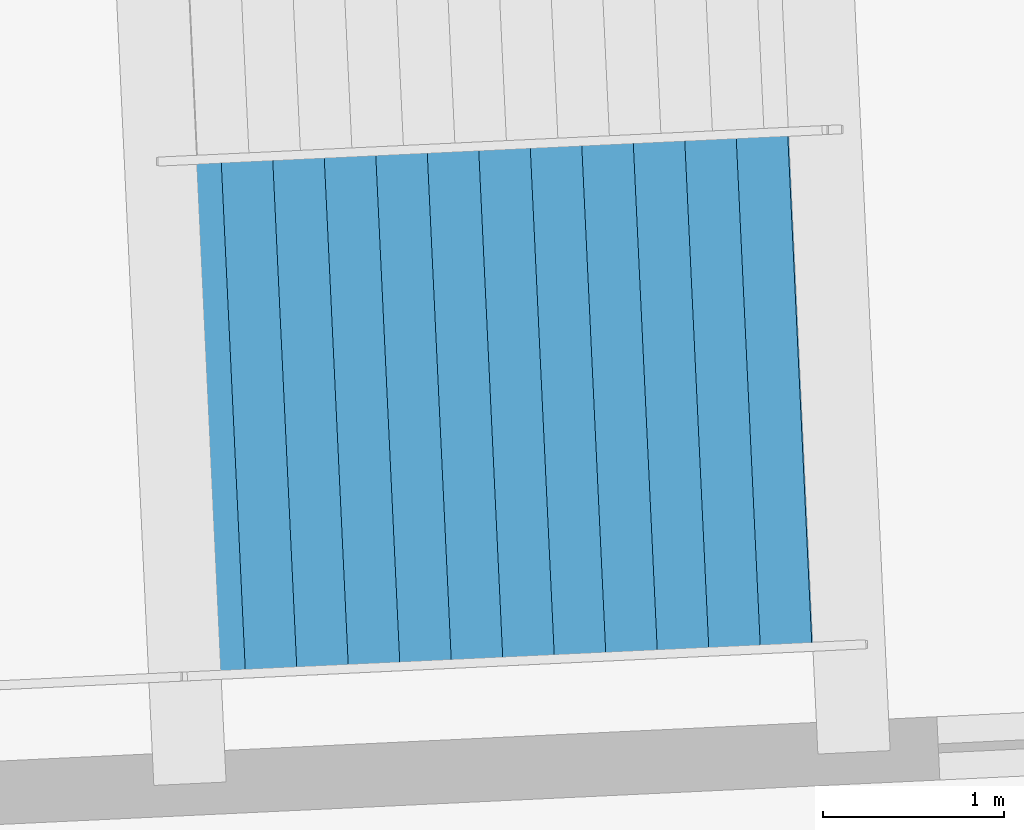
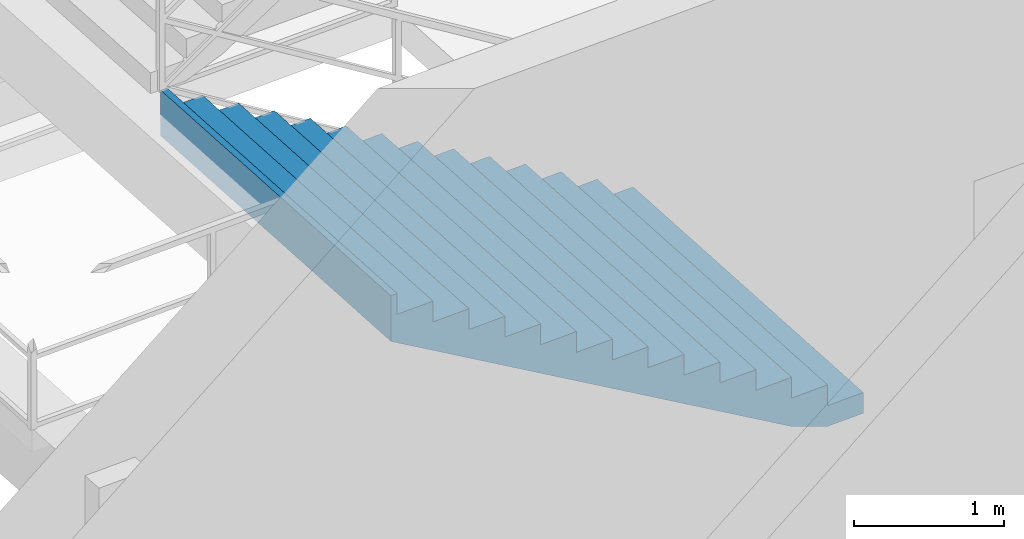
# One storey, part 158 of 171: 1 stair flight, 1 element without a shape of its own.
"""IFC4 building model written with IfcOpenShell, lengths in metres."""

from ifc_helpers import new_model, si_unit, direction, frame, origin, place, context, subcontext, project, spatial, polygons, material, type_object, element, aggregate, save


model = new_model("IFC4")

# Units and contexts
model_context = context("Model", 3, precision=1e-05, world=origin(), true_north=direction((0.0, 1.0)))
body_context = subcontext(model_context, "Body", "Model", "MODEL_VIEW")
ifc_project = project(units=[si_unit("LENGTHUNIT", "METRE"), si_unit("AREAUNIT", "SQUARE_METRE"), si_unit("VOLUMEUNIT", "CUBIC_METRE"), si_unit("PLANEANGLEUNIT", "RADIAN"), si_unit("MASSUNIT", "GRAM", prefix="KILO")], contexts=[model_context])

# Site, building, storey
site_placement = place(None, origin())
site = spatial("IfcSite", under=ifc_project, at=site_placement, CompositionType="ELEMENT")
building_placement = place(site_placement, origin())
building = spatial("IfcBuilding", under=site, at=building_placement, Name="Kazemori Nagisa Stadium", CompositionType="ELEMENT")
storey_placement = place(building_placement, frame((0.0, 0.0, 15.639892578125)))
storey = spatial("IfcBuildingStorey", under=building, at=storey_placement, Name="L03", CompositionType="ELEMENT", Elevation=15.639892578125)

# Stair, stair flight
ifc_material = material(Name="Concrete C36/45 (Fc36)", Category="concrete")
stair_type = type_object("IfcStairType", Name="Stair_CORE_28", PredefinedType="TWO_STRAIGHT_RUN_STAIR", material=ifc_material)
stair_placement = place(storey_placement, origin())
stair = element("IfcStair", 1, at=stair_placement, inside=storey, type_object=stair_type, Name="Exit stair ST05 L03", PredefinedType="TWO_STRAIGHT_RUN_STAIR")
stair_flight_type = type_object("IfcStairFlightType", Name="Flight_CORE_14", PredefinedType="STRAIGHT", material=ifc_material)
stair_flight_placement = place(storey_placement, frame((119.465087890625, 180.565673828125, 0.0), z_axis=(0.0, 0.0, 1.0), x_axis=(-0.998883292929, -0.047245815755, 0.0)))
stair_flight = element("IfcStairFlight", 2, at=stair_flight_placement, type_object=stair_flight_type, Name="Exit stair ST05 L03 flight 1", NumberOfRisers=14, NumberOfTreads=13, PredefinedType="STRAIGHT", RiserHeight=0.17, TreadLength=0.285, context=body_context, shape_type="Tessellation", body=[
    polygons([(0.0, -1.425048828125, 0.0), (0.0, -1.425048828125, 0.169921875), (0.284912109375, -1.425048828125, 0.169921875), (0.284912109375, -1.425048828125, 0.340087890625), (0.570068359375, -1.425048828125, 0.340087890625), (0.570068359375, -1.425048828125, 0.510009765625), (0.85498046875, -1.425048828125, 0.510009765625), (0.85498046875, -1.425048828125, 0.679931640625), (1.139892578125, -1.425048828125, 0.679931640625), (1.139892578125, -1.425048828125, 0.85009765625), (1.425048828125, -1.425048828125, 0.85009765625), (1.425048828125, -1.425048828125, 1.02001953125), (1.7099609375, -1.425048828125, 1.02001953125), (1.7099609375, -1.425048828125, 1.18994140625), (1.9951171875, -1.425048828125, 1.18994140625), (1.9951171875, -1.425048828125, 1.360107421875), (2.280029296875, -1.425048828125, 1.360107421875), (2.280029296875, -1.425048828125, 1.530029296875), (2.56494140625, -1.425048828125, 1.530029296875), (2.56494140625, -1.425048828125, 1.699951171875), (2.85009765625, -1.425048828125, 1.699951171875), (2.85009765625, -1.425048828125, 1.8701171875), (3.135009765625, -1.425048828125, 1.8701171875), (3.135009765625, -1.425048828125, 2.0400390625), (3.419921875, -1.425048828125, 2.0400390625), (3.419921875, -1.425048828125, 2.2099609375), (3.705078125, -1.425048828125, 2.2099609375), (3.705078125, -1.425048828125, 2.3798828125), (3.7548828125, -1.425048828125, 2.3798828125), (3.7548828125, -1.425048828125, 2.007080078125), (3.705078125, -1.425048828125, 1.977294921875), (3.419921875, -1.425048828125, 1.80712890625), (3.135009765625, -1.425048828125, 1.63720703125), (2.85009765625, -1.425048828125, 1.46728515625), (2.56494140625, -1.425048828125, 1.297119140625), (2.280029296875, -1.425048828125, 1.127197265625), (1.9951171875, -1.425048828125, 0.957275390625), (1.7099609375, -1.425048828125, 0.787109375), (1.425048828125, -1.425048828125, 0.6171875), (1.139892578125, -1.425048828125, 0.447265625), (0.85498046875, -1.425048828125, 0.277099609375), (0.570068359375, -1.425048828125, 0.107177734375), (0.284912109375, -1.425048828125, 0.0), (0.0, -0.08544921875, 0.0), (0.0, -0.08544921875, 0.169921875), (0.284912109375, -0.08544921875, 0.169921875), (0.284912109375, -0.08544921875, 0.340087890625), (0.570068359375, -0.08544921875, 0.340087890625), (0.570068359375, -0.08544921875, 0.510009765625), (0.85498046875, -0.08544921875, 0.510009765625), (0.85498046875, -0.08544921875, 0.679931640625), (1.139892578125, -0.08544921875, 0.679931640625), (1.139892578125, -0.08544921875, 0.85009765625), (1.425048828125, -0.08544921875, 0.85009765625), (1.425048828125, -0.08544921875, 1.02001953125), (1.7099609375, -0.08544921875, 1.02001953125), (1.7099609375, -0.08544921875, 1.18994140625), (1.9951171875, -0.08544921875, 1.18994140625), (1.9951171875, -0.08544921875, 1.360107421875), (2.280029296875, -0.08544921875, 1.360107421875), (2.280029296875, -0.08544921875, 1.530029296875), (2.56494140625, -0.08544921875, 1.530029296875), (2.56494140625, -0.08544921875, 1.699951171875), (2.85009765625, -0.08544921875, 1.699951171875), (2.85009765625, -0.08544921875, 1.8701171875), (3.135009765625, -0.08544921875, 1.8701171875), (3.135009765625, -0.08544921875, 2.0400390625), (3.419921875, -0.08544921875, 2.0400390625), (3.419921875, -0.08544921875, 2.2099609375), (3.705078125, -0.08544921875, 2.2099609375), (3.705078125, -0.08544921875, 2.3798828125), (3.7548828125, -0.08544921875, 2.3798828125), (3.7548828125, -0.08544921875, 2.007080078125), (3.705078125, -0.08544921875, 1.977294921875), (3.419921875, -0.08544921875, 1.80712890625), (3.135009765625, -0.08544921875, 1.63720703125), (2.85009765625, -0.08544921875, 1.46728515625), (2.56494140625, -0.08544921875, 1.297119140625), (2.280029296875, -0.08544921875, 1.127197265625), (1.9951171875, -0.08544921875, 0.957275390625), (1.7099609375, -0.08544921875, 0.787109375), (1.425048828125, -0.08544921875, 0.6171875), (1.139892578125, -0.08544921875, 0.447265625), (0.85498046875, -0.08544921875, 0.277099609375), (0.570068359375, -0.08544921875, 0.107177734375), (0.284912109375, -0.08544921875, 0.0), (0.0, 0.0, 0.0), (0.0, 0.0, 0.169921875), (0.284912109375, 0.0, 0.169921875), (0.284912109375, 0.0, 0.340087890625), (0.570068359375, 0.0, 0.340087890625), (0.570068359375, 0.0, 0.510009765625), (0.85498046875, 0.0, 0.510009765625), (0.85498046875, 0.0, 0.679931640625), (1.139892578125, 0.0, 0.679931640625), (1.139892578125, 0.0, 0.85009765625), (1.425048828125, 0.0, 0.85009765625), (1.425048828125, 0.0, 1.02001953125), (1.7099609375, 0.0, 1.02001953125), (1.7099609375, 0.0, 1.18994140625), (1.9951171875, 0.0, 1.18994140625), (1.9951171875, 0.0, 1.360107421875), (2.280029296875, 0.0, 1.360107421875), (2.280029296875, 0.0, 1.530029296875), (2.56494140625, 0.0, 1.530029296875), (2.56494140625, 0.0, 1.699951171875), (2.85009765625, 0.0, 1.699951171875), (2.85009765625, 0.0, 1.8701171875), (3.135009765625, 0.0, 1.8701171875), (3.135009765625, 0.0, 2.0400390625), (3.419921875, 0.0, 2.0400390625), (3.419921875, 0.0, 2.2099609375), (3.705078125, 0.0, 2.2099609375), (3.705078125, 0.0, 2.3798828125), (3.7548828125, 0.0, 2.3798828125), (3.7548828125, 0.0, 2.007080078125), (3.705078125, 0.0, 1.977294921875), (3.419921875, 0.0, 1.80712890625), (3.135009765625, 0.0, 1.63720703125), (2.85009765625, 0.0, 1.46728515625), (2.56494140625, 0.0, 1.297119140625), (2.280029296875, 0.0, 1.127197265625), (1.9951171875, 0.0, 0.957275390625), (1.7099609375, 0.0, 0.787109375), (1.425048828125, 0.0, 0.6171875), (1.139892578125, 0.0, 0.447265625), (0.85498046875, 0.0, 0.277099609375), (0.570068359375, 0.0, 0.107177734375), (0.284912109375, 0.0, 0.0), (0.0, 0.08544921875, 0.0), (0.0, 0.08544921875, 0.169921875), (0.284912109375, 0.08544921875, 0.169921875), (0.284912109375, 0.08544921875, 0.340087890625), (0.570068359375, 0.08544921875, 0.340087890625), (0.570068359375, 0.08544921875, 0.510009765625), (0.85498046875, 0.08544921875, 0.510009765625), (0.85498046875, 0.08544921875, 0.679931640625), (1.139892578125, 0.08544921875, 0.679931640625), (1.139892578125, 0.08544921875, 0.85009765625), (1.425048828125, 0.08544921875, 0.85009765625), (1.425048828125, 0.08544921875, 1.02001953125), (1.7099609375, 0.08544921875, 1.02001953125), (1.7099609375, 0.08544921875, 1.18994140625), (1.9951171875, 0.08544921875, 1.18994140625), (1.9951171875, 0.08544921875, 1.360107421875), (2.280029296875, 0.08544921875, 1.360107421875), (2.280029296875, 0.08544921875, 1.530029296875), (2.56494140625, 0.08544921875, 1.530029296875), (2.56494140625, 0.08544921875, 1.699951171875), (2.85009765625, 0.08544921875, 1.699951171875), (2.85009765625, 0.08544921875, 1.8701171875), (3.135009765625, 0.08544921875, 1.8701171875), (3.135009765625, 0.08544921875, 2.0400390625), (3.419921875, 0.08544921875, 2.0400390625), (3.419921875, 0.08544921875, 2.2099609375), (3.705078125, 0.08544921875, 2.2099609375), (3.705078125, 0.08544921875, 2.3798828125), (3.7548828125, 0.08544921875, 2.3798828125), (3.7548828125, 0.08544921875, 2.007080078125), (3.705078125, 0.08544921875, 1.977294921875), (3.419921875, 0.08544921875, 1.80712890625), (3.135009765625, 0.08544921875, 1.63720703125), (2.85009765625, 0.08544921875, 1.46728515625), (2.56494140625, 0.08544921875, 1.297119140625), (2.280029296875, 0.08544921875, 1.127197265625), (1.9951171875, 0.08544921875, 0.957275390625), (1.7099609375, 0.08544921875, 0.787109375), (1.425048828125, 0.08544921875, 0.6171875), (1.139892578125, 0.08544921875, 0.447265625), (0.85498046875, 0.08544921875, 0.277099609375), (0.570068359375, 0.08544921875, 0.107177734375), (0.284912109375, 0.08544921875, 0.0), (0.0, 1.425048828125, 0.0), (0.0, 1.425048828125, 0.169921875), (0.284912109375, 1.425048828125, 0.169921875), (0.284912109375, 1.425048828125, 0.340087890625), (0.570068359375, 1.425048828125, 0.340087890625), (0.570068359375, 1.425048828125, 0.510009765625), (0.85498046875, 1.425048828125, 0.510009765625), (0.85498046875, 1.425048828125, 0.679931640625), (1.139892578125, 1.425048828125, 0.679931640625), (1.139892578125, 1.425048828125, 0.85009765625), (1.425048828125, 1.425048828125, 0.85009765625), (1.425048828125, 1.425048828125, 1.02001953125), (1.7099609375, 1.425048828125, 1.02001953125), (1.7099609375, 1.425048828125, 1.18994140625), (1.9951171875, 1.425048828125, 1.18994140625), (1.9951171875, 1.425048828125, 1.360107421875), (2.280029296875, 1.425048828125, 1.360107421875), (2.280029296875, 1.425048828125, 1.530029296875), (2.56494140625, 1.425048828125, 1.530029296875), (2.56494140625, 1.425048828125, 1.699951171875), (2.85009765625, 1.425048828125, 1.699951171875), (2.85009765625, 1.425048828125, 1.8701171875), (3.135009765625, 1.425048828125, 1.8701171875), (3.135009765625, 1.425048828125, 2.0400390625), (3.419921875, 1.425048828125, 2.0400390625), (3.419921875, 1.425048828125, 2.2099609375), (3.705078125, 1.425048828125, 2.2099609375), (3.705078125, 1.425048828125, 2.3798828125), (3.7548828125, 1.425048828125, 2.3798828125), (3.7548828125, 1.425048828125, 2.007080078125), (3.705078125, 1.425048828125, 1.977294921875), (3.419921875, 1.425048828125, 1.80712890625), (3.135009765625, 1.425048828125, 1.63720703125), (2.85009765625, 1.425048828125, 1.46728515625), (2.56494140625, 1.425048828125, 1.297119140625), (2.280029296875, 1.425048828125, 1.127197265625), (1.9951171875, 1.425048828125, 0.957275390625), (1.7099609375, 1.425048828125, 0.787109375), (1.425048828125, 1.425048828125, 0.6171875), (1.139892578125, 1.425048828125, 0.447265625), (0.85498046875, 1.425048828125, 0.277099609375), (0.570068359375, 1.425048828125, 0.107177734375), (0.284912109375, 1.425048828125, 0.0)], [[[1, 2, 45]], [[1, 45, 44]], [[2, 3, 46]], [[2, 46, 45]], [[3, 4, 47]], [[3, 47, 46]], [[4, 5, 48]], [[4, 48, 47]], [[5, 6, 49]], [[5, 49, 48]], [[6, 7, 50]], [[6, 50, 49]], [[7, 8, 51]], [[7, 51, 50]], [[8, 9, 52]], [[8, 52, 51]], [[9, 10, 53]], [[9, 53, 52]], [[10, 11, 54]], [[10, 54, 53]], [[11, 12, 55]], [[11, 55, 54]], [[12, 13, 56]], [[12, 56, 55]], [[13, 14, 57]], [[13, 57, 56]], [[14, 15, 58]], [[14, 58, 57]], [[15, 16, 59]], [[15, 59, 58]], [[16, 17, 60]], [[16, 60, 59]], [[17, 18, 61]], [[17, 61, 60]], [[18, 19, 62]], [[18, 62, 61]], [[19, 20, 63]], [[19, 63, 62]], [[20, 21, 64]], [[20, 64, 63]], [[21, 22, 65]], [[21, 65, 64]], [[22, 23, 66]], [[22, 66, 65]], [[23, 24, 67]], [[23, 67, 66]], [[24, 25, 68]], [[24, 68, 67]], [[25, 26, 69]], [[25, 69, 68]], [[26, 27, 70]], [[26, 70, 69]], [[27, 28, 71]], [[27, 71, 70]], [[28, 29, 72]], [[28, 72, 71]], [[29, 30, 73]], [[29, 73, 72]], [[30, 31, 74]], [[30, 74, 73]], [[31, 32, 75]], [[31, 75, 74]], [[32, 33, 76]], [[32, 76, 75]], [[33, 34, 77]], [[33, 77, 76]], [[34, 35, 78]], [[34, 78, 77]], [[35, 36, 79]], [[35, 79, 78]], [[36, 37, 80]], [[36, 80, 79]], [[37, 38, 81]], [[37, 81, 80]], [[38, 39, 82]], [[38, 82, 81]], [[39, 40, 83]], [[39, 83, 82]], [[40, 41, 84]], [[40, 84, 83]], [[41, 42, 85]], [[41, 85, 84]], [[42, 43, 86]], [[42, 86, 85]], [[43, 1, 44]], [[43, 44, 86]], [[44, 45, 88]], [[44, 88, 87]], [[45, 46, 89]], [[45, 89, 88]], [[46, 47, 90]], [[46, 90, 89]], [[47, 48, 91]], [[47, 91, 90]], [[48, 49, 92]], [[48, 92, 91]], [[49, 50, 93]], [[49, 93, 92]], [[50, 51, 94]], [[50, 94, 93]], [[51, 52, 95]], [[51, 95, 94]], [[52, 53, 96]], [[52, 96, 95]], [[53, 54, 97]], [[53, 97, 96]], [[54, 55, 98]], [[54, 98, 97]], [[55, 56, 99]], [[55, 99, 98]], [[56, 57, 100]], [[56, 100, 99]], [[57, 58, 101]], [[57, 101, 100]], [[58, 59, 102]], [[58, 102, 101]], [[59, 60, 103]], [[59, 103, 102]], [[60, 61, 104]], [[60, 104, 103]], [[61, 62, 105]], [[61, 105, 104]], [[62, 63, 106]], [[62, 106, 105]], [[63, 64, 107]], [[63, 107, 106]], [[64, 65, 108]], [[64, 108, 107]], [[65, 66, 109]], [[65, 109, 108]], [[66, 67, 110]], [[66, 110, 109]], [[67, 68, 111]], [[67, 111, 110]], [[68, 69, 112]], [[68, 112, 111]], [[69, 70, 113]], [[69, 113, 112]], [[70, 71, 114]], [[70, 114, 113]], [[71, 72, 115]], [[71, 115, 114]], [[72, 73, 116]], [[72, 116, 115]], [[73, 74, 117]], [[73, 117, 116]], [[74, 75, 118]], [[74, 118, 117]], [[75, 76, 119]], [[75, 119, 118]], [[76, 77, 120]], [[76, 120, 119]], [[77, 78, 121]], [[77, 121, 120]], [[78, 79, 122]], [[78, 122, 121]], [[79, 80, 123]], [[79, 123, 122]], [[80, 81, 124]], [[80, 124, 123]], [[81, 82, 125]], [[81, 125, 124]], [[82, 83, 126]], [[82, 126, 125]], [[83, 84, 127]], [[83, 127, 126]], [[84, 85, 128]], [[84, 128, 127]], [[85, 86, 129]], [[85, 129, 128]], [[86, 44, 87]], [[86, 87, 129]], [[87, 88, 131]], [[87, 131, 130]], [[88, 89, 132]], [[88, 132, 131]], [[89, 90, 133]], [[89, 133, 132]], [[90, 91, 134]], [[90, 134, 133]], [[91, 92, 135]], [[91, 135, 134]], [[92, 93, 136]], [[92, 136, 135]], [[93, 94, 137]], [[93, 137, 136]], [[94, 95, 138]], [[94, 138, 137]], [[95, 96, 139]], [[95, 139, 138]], [[96, 97, 140]], [[96, 140, 139]], [[97, 98, 141]], [[97, 141, 140]], [[98, 99, 142]], [[98, 142, 141]], [[99, 100, 143]], [[99, 143, 142]], [[100, 101, 144]], [[100, 144, 143]], [[101, 102, 145]], [[101, 145, 144]], [[102, 103, 146]], [[102, 146, 145]], [[103, 104, 147]], [[103, 147, 146]], [[104, 105, 148]], [[104, 148, 147]], [[105, 106, 149]], [[105, 149, 148]], [[106, 107, 150]], [[106, 150, 149]], [[107, 108, 151]], [[107, 151, 150]], [[108, 109, 152]], [[108, 152, 151]], [[109, 110, 153]], [[109, 153, 152]], [[110, 111, 154]], [[110, 154, 153]], [[111, 112, 155]], [[111, 155, 154]], [[112, 113, 156]], [[112, 156, 155]], [[113, 114, 157]], [[113, 157, 156]], [[114, 115, 158]], [[114, 158, 157]], [[115, 116, 159]], [[115, 159, 158]], [[116, 117, 160]], [[116, 160, 159]], [[117, 118, 161]], [[117, 161, 160]], [[118, 119, 162]], [[118, 162, 161]], [[119, 120, 163]], [[119, 163, 162]], [[120, 121, 164]], [[120, 164, 163]], [[121, 122, 165]], [[121, 165, 164]], [[122, 123, 166]], [[122, 166, 165]], [[123, 124, 167]], [[123, 167, 166]], [[124, 125, 168]], [[124, 168, 167]], [[125, 126, 169]], [[125, 169, 168]], [[126, 127, 170]], [[126, 170, 169]], [[127, 128, 171]], [[127, 171, 170]], [[128, 129, 172]], [[128, 172, 171]], [[129, 87, 130]], [[129, 130, 172]], [[130, 131, 174]], [[130, 174, 173]], [[131, 132, 175]], [[131, 175, 174]], [[132, 133, 176]], [[132, 176, 175]], [[133, 134, 177]], [[133, 177, 176]], [[134, 135, 178]], [[134, 178, 177]], [[135, 136, 179]], [[135, 179, 178]], [[136, 137, 180]], [[136, 180, 179]], [[137, 138, 181]], [[137, 181, 180]], [[138, 139, 182]], [[138, 182, 181]], [[139, 140, 183]], [[139, 183, 182]], [[140, 141, 184]], [[140, 184, 183]], [[141, 142, 185]], [[141, 185, 184]], [[142, 143, 186]], [[142, 186, 185]], [[143, 144, 187]], [[143, 187, 186]], [[144, 145, 188]], [[144, 188, 187]], [[145, 146, 189]], [[145, 189, 188]], [[146, 147, 190]], [[146, 190, 189]], [[147, 148, 191]], [[147, 191, 190]], [[148, 149, 192]], [[148, 192, 191]], [[149, 150, 193]], [[149, 193, 192]], [[150, 151, 194]], [[150, 194, 193]], [[151, 152, 195]], [[151, 195, 194]], [[152, 153, 196]], [[152, 196, 195]], [[153, 154, 197]], [[153, 197, 196]], [[154, 155, 198]], [[154, 198, 197]], [[155, 156, 199]], [[155, 199, 198]], [[156, 157, 200]], [[156, 200, 199]], [[157, 158, 201]], [[157, 201, 200]], [[158, 159, 202]], [[158, 202, 201]], [[159, 160, 203]], [[159, 203, 202]], [[160, 161, 204]], [[160, 204, 203]], [[161, 162, 205]], [[161, 205, 204]], [[162, 163, 206]], [[162, 206, 205]], [[163, 164, 207]], [[163, 207, 206]], [[164, 165, 208]], [[164, 208, 207]], [[165, 166, 209]], [[165, 209, 208]], [[166, 167, 210]], [[166, 210, 209]], [[167, 168, 211]], [[167, 211, 210]], [[168, 169, 212]], [[168, 212, 211]], [[169, 170, 213]], [[169, 213, 212]], [[170, 171, 214]], [[170, 214, 213]], [[171, 172, 215]], [[171, 215, 214]], [[172, 130, 173]], [[172, 173, 215]], [[3, 2, 1]], [[173, 174, 175]], [[43, 3, 1]], [[173, 175, 215]], [[42, 3, 43]], [[215, 175, 214]], [[5, 3, 42]], [[214, 175, 177]], [[5, 4, 3]], [[175, 176, 177]], [[41, 5, 42]], [[214, 177, 213]], [[7, 5, 41]], [[213, 177, 179]], [[7, 6, 5]], [[177, 178, 179]], [[40, 7, 41]], [[213, 179, 212]], [[9, 7, 40]], [[212, 179, 181]], [[9, 8, 7]], [[179, 180, 181]], [[39, 9, 40]], [[212, 181, 211]], [[11, 9, 39]], [[211, 181, 183]], [[11, 10, 9]], [[181, 182, 183]], [[38, 11, 39]], [[211, 183, 210]], [[13, 11, 38]], [[210, 183, 185]], [[13, 12, 11]], [[183, 184, 185]], [[37, 13, 38]], [[210, 185, 209]], [[15, 13, 37]], [[209, 185, 187]], [[15, 14, 13]], [[185, 186, 187]], [[36, 15, 37]], [[209, 187, 208]], [[17, 15, 36]], [[208, 187, 189]], [[17, 16, 15]], [[187, 188, 189]], [[35, 17, 36]], [[208, 189, 207]], [[19, 17, 35]], [[207, 189, 191]], [[19, 18, 17]], [[189, 190, 191]], [[34, 19, 35]], [[207, 191, 206]], [[21, 19, 34]], [[206, 191, 193]], [[21, 20, 19]], [[191, 192, 193]], [[33, 21, 34]], [[206, 193, 205]], [[23, 21, 33]], [[205, 193, 195]], [[23, 22, 21]], [[193, 194, 195]], [[32, 23, 33]], [[205, 195, 204]], [[25, 23, 32]], [[204, 195, 197]], [[25, 24, 23]], [[195, 196, 197]], [[31, 25, 32]], [[204, 197, 203]], [[27, 25, 31]], [[203, 197, 199]], [[27, 26, 25]], [[197, 198, 199]], [[30, 27, 31]], [[203, 199, 202]], [[29, 27, 30]], [[202, 199, 201]], [[29, 28, 27]], [[199, 200, 201]]], closed=True),
])
aggregate(stair, [stair_flight])

save(model, "model.ifc")
